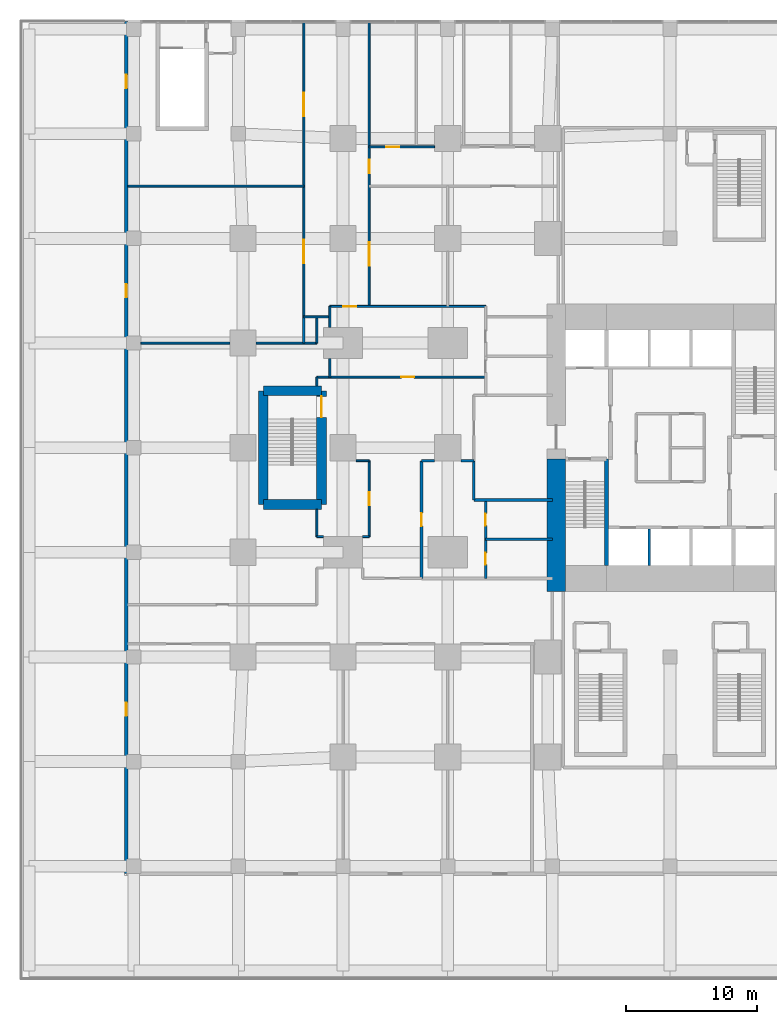
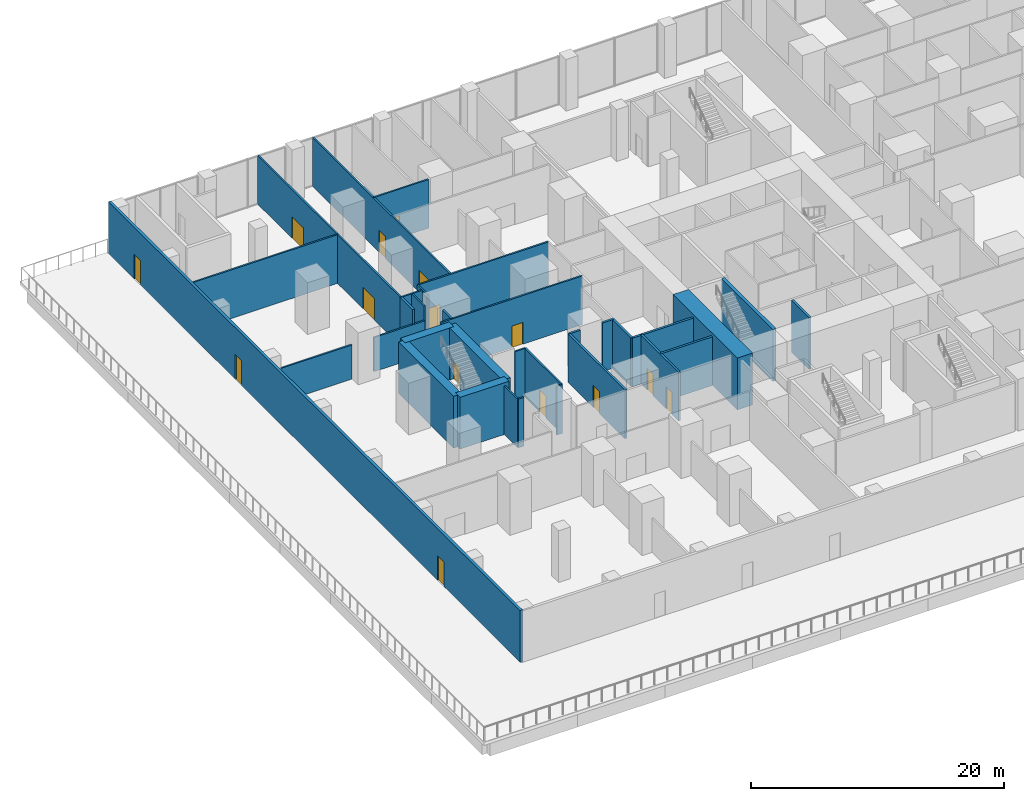
# One storey, part 8 of 19: 34 walls, 15 doors, 15 openings.
"""IFC4 building model written with IfcOpenShell, lengths in metres."""

import ifcopenshell
import ifcopenshell.guid

model = None  # the IFC model being written
_history = None  # IfcOwnerHistory: only IFC2X3 demands one
_inside = {}  # id of a spatial element -> (the spatial element, [elements in it])
_under = {}  # id of a project, library or spatial element -> (it, [spatial elements below it])
_declared = {}  # id of a project -> (the project, [libraries it declares])
_typed = {}  # id of a type object -> (the type object, [elements of that type])
_made_of = {}  # id of a material, layer set ... -> (it, [elements and type objects made of it])


def new_model(schema):
    """Start an empty IFC model of exactly this schema.

    Asked for "IFC4X3", IfcOpenShell would pick the latest addendum, in which some entities
    have other attributes; the version numbers below select the first issue.
    IFC2X3 requires an IfcOwnerHistory on every rooted entity: one is made here for all.
    """
    global model, _history
    if schema == "IFC4X3":
        model = ifcopenshell.file(schema_version=(4, 3, 0, 0))
    else:
        model = ifcopenshell.file(schema=schema)
    _inside.clear()
    _under.clear()
    _declared.clear()
    _typed.clear()
    _made_of.clear()
    _history = None
    if model.schema == "IFC2X3":
        org = make("IfcOrganization", Name="unknown")
        user = make(
            "IfcPersonAndOrganization",
            ThePerson=make("IfcPerson", FamilyName="unknown"),
            TheOrganization=org,
        )
        app = make(
            "IfcApplication",
            ApplicationDeveloper=org,
            Version="unknown",
            ApplicationFullName="unknown",
            ApplicationIdentifier="unknown",
        )
        _history = make(
            "IfcOwnerHistory",
            OwningUser=user,
            OwningApplication=app,
            ChangeAction="ADDED",
            CreationDate=0,
        )
    return model


def make(cls, **values):
    """One entity of the class cls with the attributes given. An attribute that is None is left unset."""
    return model.create_entity(
        cls, **{name: value for name, value in values.items() if value is not None}
    )


def rooted(cls, **values):
    """An entity with a GlobalId (a new one), such as an element, a storey or a relation."""
    return make(cls, GlobalId=ifcopenshell.guid.new(), OwnerHistory=_history, **values)


def si_unit(unit_type, name, prefix=None):
    """IfcSIUnit, for example si_unit("LENGTHUNIT", "METRE", prefix="MILLI")."""
    return make("IfcSIUnit", UnitType=unit_type, Prefix=prefix, Name=name)


def assignment(units):
    """IfcUnitAssignment: the units of a project."""
    return None if units is None else make("IfcUnitAssignment", Units=units)


def point(xyz):
    """IfcCartesianPoint."""
    return None if xyz is None else make("IfcCartesianPoint", Coordinates=xyz)


def direction(xyz):
    """IfcDirection."""
    return None if xyz is None else make("IfcDirection", DirectionRatios=xyz)


def frame(location, z_axis=None, x_axis=None):
    """IfcAxis2Placement3D, a coordinate frame: its origin and axes. An axis left out is left unset."""
    return make(
        "IfcAxis2Placement3D",
        Location=point(location),
        Axis=direction(z_axis),
        RefDirection=direction(x_axis),
    )


def frame_2d(location, x_axis=None):
    """IfcAxis2Placement2D, a coordinate frame in the plane: its origin and x axis."""
    return make(
        "IfcAxis2Placement2D", Location=point(location), RefDirection=direction(x_axis)
    )


def origin():
    """The frame at (0, 0, 0) with its axes left unset."""
    return frame((0.0, 0.0, 0.0))


def place(relative_to, where):
    """IfcLocalPlacement: puts the frame where relative to a parent placement (None: the world)."""
    return make(
        "IfcLocalPlacement", PlacementRelTo=relative_to, RelativePlacement=where
    )


def context(
    kind, dimensions, precision=None, world=None, true_north=None, identifier=None
):
    """IfcGeometricRepresentationContext, for example the 3D "Model" context."""
    return make(
        "IfcGeometricRepresentationContext",
        ContextIdentifier=identifier,
        ContextType=kind,
        CoordinateSpaceDimension=dimensions,
        Precision=precision,
        WorldCoordinateSystem=world,
        TrueNorth=true_north,
    )


def subcontext(parent, identifier, kind, view, scale=None):
    """IfcGeometricRepresentationSubContext, for example "Body" below "Model"."""
    return make(
        "IfcGeometricRepresentationSubContext",
        ContextIdentifier=identifier,
        ContextType=kind,
        ParentContext=parent,
        TargetScale=scale,
        TargetView=view,
    )


def project(units=None, contexts=None):
    """IfcProject with its units and contexts."""
    return rooted(
        "IfcProject",
        Name="project",
        RepresentationContexts=contexts,
        UnitsInContext=assignment(units),
    )


def spatial(cls, under=None, at=None, **own):
    """A site, building, storey or space (cls), placed at a placement, below another one or the project."""
    s = rooted(cls, ObjectPlacement=at, **own)
    if under is not None:
        _under.setdefault(under.id(), (under, []))[1].append(s)
    return s


def profile(cls, at=None, kind="AREA", **sizes):
    """A parametric profile (cls). Its sizes go by their IFC names, for example OverallWidth=200.0."""
    return make(cls, ProfileType=kind, Position=at, **sizes)


def rectangle(**sizes):
    """IfcRectangleProfileDef."""
    return profile("IfcRectangleProfileDef", **sizes)


def extrude(swept, where, along, depth):
    """IfcExtrudedAreaSolid: the profile swept, set in the frame where, extruded along a direction by depth."""
    return make(
        "IfcExtrudedAreaSolid",
        SweptArea=swept,
        Position=where,
        ExtrudedDirection=direction(along),
        Depth=depth,
    )


def shape(context_of_items, identifier, shape_type, items):
    """IfcShapeRepresentation: the items that make up one representation, for example the "Body"."""
    return make(
        "IfcShapeRepresentation",
        ContextOfItems=context_of_items,
        RepresentationIdentifier=identifier,
        RepresentationType=shape_type,
        Items=items,
    )


def material(Name=None, Category=None):
    """IfcMaterial."""
    return make("IfcMaterial", Name=Name, Category=Category)


def layer(
    of_material, thickness, ventilated=None, Name=None, Category=None, Priority=None
):
    """IfcMaterialLayer: one layer of a wall or slab, of a material (None: an air gap)."""
    return make(
        "IfcMaterialLayer",
        Material=of_material,
        LayerThickness=thickness,
        IsVentilated=ventilated,
        Name=Name,
        Category=Category,
        Priority=Priority,
    )


def layer_set(layers, Name=None):
    """IfcMaterialLayerSet."""
    return make("IfcMaterialLayerSet", MaterialLayers=layers, LayerSetName=Name)


def made_of(thing, what):
    """Note that an element or type object is made of a material, layer set ...; save() writes the relation."""
    if what is not None:
        _made_of.setdefault(what.id(), (what, []))[1].append(thing)
    return thing


def type_object(cls, material=None, **own):
    """A type object (cls), such as IfcWallType, which elements share."""
    return made_of(rooted(cls, **own), material)


def element(
    cls,
    number,
    at=None,
    inside=None,
    cuts=None,
    type_object=None,
    material=None,
    context=None,
    identifier="Body",
    shape_type=None,
    held_by="IfcProductDefinitionShape",
    body=None,
    shapes=None,
    **own,
):
    """One element of the class cls, such as IfcWall. Its Tag is "e" and its number.

    at: its placement. inside: the storey or other place that contains it. cuts: it is an
    opening in that element (IfcRelVoidsElement). A single representation is given by context,
    identifier, shape_type and body (its items); several are given by shapes. held_by: the class
    of the entity that holds the representations. save() writes the other relations.
    """
    e = rooted(cls, Tag="e%d" % number, ObjectPlacement=at, **own)
    if body is not None:
        shapes = [shape(context, identifier, shape_type, body)]
    if shapes is not None:
        e.Representation = make(held_by, Representations=shapes)
    if inside is not None:
        _inside.setdefault(inside.id(), (inside, []))[1].append(e)
    if cuts is not None:
        rooted(
            "IfcRelVoidsElement", RelatingBuildingElement=cuts, RelatedOpeningElement=e
        )
    if type_object is not None:
        _typed.setdefault(type_object.id(), (type_object, []))[1].append(e)
    return made_of(e, material)


def fill(opening, filler):
    """IfcRelFillsElement: the door or window that sits in an opening."""
    return rooted(
        "IfcRelFillsElement",
        RelatingOpeningElement=opening,
        RelatedBuildingElement=filler,
    )


def aggregate(whole, parts):
    """IfcRelAggregates: a whole, such as a stair, and the parts it consists of."""
    return rooted("IfcRelAggregates", RelatingObject=whole, RelatedObjects=parts)


def save(model, path):
    """Write the relations noted so far, then the file.

    IfcRelAggregates (storeys below a building ...), IfcRelContainedInSpatialStructure (elements
    in a storey), IfcRelDefinesByType, IfcRelAssociatesMaterial and IfcRelDeclares: one each for
    every whole, place, type object, material and project.
    """
    for whole, parts in _under.values():
        aggregate(whole, parts)
    for where, things in _inside.values():
        rooted(
            "IfcRelContainedInSpatialStructure",
            RelatedElements=things,
            RelatingStructure=where,
        )
    for kind, things in _typed.values():
        rooted("IfcRelDefinesByType", RelatedObjects=things, RelatingType=kind)
    for what, things in _made_of.values():
        rooted("IfcRelAssociatesMaterial", RelatedObjects=things, RelatingMaterial=what)
    for by, libraries in _declared.values():
        rooted("IfcRelDeclares", RelatingContext=by, RelatedDefinitions=libraries)
    model.write(path)


model = new_model("IFC4")

# Units and contexts
model_context = context("Model", 3, precision=1e-05, world=origin(), true_north=direction((0.0, 1.0)))
body_context = subcontext(model_context, "Body", "Model", "MODEL_VIEW")
ifc_project = project(units=[si_unit("LENGTHUNIT", "METRE"), si_unit("AREAUNIT", "SQUARE_METRE"), si_unit("VOLUMEUNIT", "CUBIC_METRE"), si_unit("PLANEANGLEUNIT", "RADIAN"), si_unit("MASSUNIT", "GRAM", prefix="KILO")], contexts=[model_context])

# Site, building, storey
site_placement = place(None, origin())
site = spatial("IfcSite", under=ifc_project, at=site_placement, CompositionType="ELEMENT")
building_placement = place(site_placement, origin())
building = spatial("IfcBuilding", under=site, at=building_placement, Name="Cleftline Residences", CompositionType="ELEMENT")
storey_placement = place(building_placement, frame((0.0, 0.0, 11.0)))
storey = spatial("IfcBuildingStorey", under=building, at=storey_placement, Name="L02", CompositionType="ELEMENT", Elevation=11.0)

# Walls
ifc_material_1 = material(Name="Concrete B70", Category="concrete")
ifc_layer_1 = layer(ifc_material_1, 1.39990234375)
ifc_layer_set_1 = layer_set([ifc_layer_1], Name="CORE WALL 1400")
wall_type_1 = type_object("IfcWallType", Name="CORE WALL 1400", PredefinedType="SHEAR", material=ifc_layer_set_1)
wall_1_placement = place(storey_placement, frame((24.300048828125, 13.0, 0.0), z_axis=(0.0, 0.0, 1.0), x_axis=(0.0, 1.0, 0.0)))
element("IfcWall", 1, at=wall_1_placement, inside=storey, type_object=wall_type_1, Name="Core wall W0", PredefinedType="SHEAR", context=body_context, shape_type="SweptSolid", body=[
    extrude(rectangle(XDim=10.14990234375, YDim=1.39990234375, at=frame_2d((5.074951171875, 0.0))), origin(), (0.0, 0.0, 1.0), 5.0),
])
ifc_material_2 = material(Name="Concrete B70", Category="concrete")
ifc_layer_2 = layer(ifc_material_2, 0.300048828125)
ifc_layer_set_2 = layer_set([ifc_layer_2], Name="CORE WALL 300")
wall_type_2 = type_object("IfcWallType", Name="CORE WALL 300", PredefinedType="SHEAR", material=ifc_layer_set_2)
wall_2_placement = place(storey_placement, frame((28.14990234375, 15.0, 0.0), z_axis=(0.0, 0.0, 1.0), x_axis=(0.0, 1.0, 0.0)))
element("IfcWall", 2, at=wall_2_placement, inside=storey, type_object=wall_type_2, Name="Core wall SA-E", PredefinedType="SHEAR", context=body_context, shape_type="SweptSolid", body=[
    extrude(rectangle(XDim=8.14990234375, YDim=0.300048828125, at=frame_2d((4.074951171875, 0.0))), origin(), (0.0, 0.0, 1.0), 5.0),
])

# Wall, openings, doors
ifc_material_3 = material(Name="Rendered reinforced concrete blockwork", Category="masonry")
ifc_layer_3 = layer(ifc_material_3, 0.25)
ifc_layer_set_3 = layer_set([ifc_layer_3], Name="EXTERNAL WALL 250")
wall_type_3 = type_object("IfcWallType", Name="EXTERNAL WALL 250", PredefinedType="SOLIDWALL", material=ifc_layer_set_3)
wall_3_placement = place(storey_placement, frame((-8.574951171875, 56.574951171875, 0.0), z_axis=(0.0, 0.0, 1.0), x_axis=(0.0, -1.0, 0.0)))
wall_3 = element("IfcWall", 3, at=wall_3_placement, inside=storey, type_object=wall_type_3, Name="External wall", PredefinedType="SOLIDWALL", context=body_context, shape_type="SweptSolid", body=[
    extrude(rectangle(XDim=65.14990234375, YDim=0.25, at=frame_2d((32.574951171875, 0.0))), origin(), (0.0, 0.0, 1.0), 5.0),
])
opening_1_placement = place(wall_3_placement, frame((4.074951171875, 0.0, 0.0)))
opening_1 = element("IfcOpeningElement", 4, at=opening_1_placement, cuts=wall_3, Name="Opening DT1", PredefinedType="OPENING", context=body_context, shape_type="SweptSolid", body=[
    extrude(rectangle(XDim=1.0, YDim=2.39990234375, at=frame_2d((0.5, 1.199951171875))), frame((0.0, 0.135009765625, 0.0), z_axis=(0.0, -1.0, 0.0), x_axis=(1.0, 0.0, 0.0)), (0.0, 0.0, 1.0), 0.27001953125),
])
opening_2_placement = place(wall_3_placement, frame((20.074951171875, 0.0, 0.0)))
opening_2 = element("IfcOpeningElement", 5, at=opening_2_placement, cuts=wall_3, Name="Opening DT1", PredefinedType="OPENING", context=body_context, shape_type="SweptSolid", body=[
    extrude(rectangle(XDim=1.0, YDim=2.39990234375, at=frame_2d((0.5, 1.199951171875))), frame((0.0, 0.135009765625, 0.0), z_axis=(0.0, -1.0, 0.0), x_axis=(1.0, 0.0, 0.0)), (0.0, 0.0, 1.0), 0.27001953125),
])
opening_3_placement = place(wall_3_placement, frame((52.074951171875, 0.0, 0.0)))
opening_3 = element("IfcOpeningElement", 6, at=opening_3_placement, cuts=wall_3, Name="Opening DT1", PredefinedType="OPENING", context=body_context, shape_type="SweptSolid", body=[
    extrude(rectangle(XDim=1.0, YDim=2.39990234375, at=frame_2d((0.5, 1.199951171875))), frame((0.0, 0.135009765625, 0.0), z_axis=(0.0, -1.0, 0.0), x_axis=(1.0, 0.0, 0.0)), (0.0, 0.0, 1.0), 0.27001953125),
])
ifc_material_4 = material(Name="Aluminium and laminated glass", Category="aluminium")
door_type_1 = type_object("IfcDoorType", Name="TERRACE DOOR 1000X2400", OperationType="SINGLE_SWING_LEFT", PredefinedType="DOOR", material=ifc_material_4)
door_1_placement = place(opening_1_placement, origin())
door_1 = element("IfcDoor", 7, at=door_1_placement, inside=storey, type_object=door_type_1, Name="Terrace door", OperationType="SINGLE_SWING_RIGHT", OverallHeight=2.39990234375, OverallWidth=1.0, PredefinedType="DOOR", context=body_context, shape_type="SweptSolid", body=[
    extrude(rectangle(XDim=1.0, YDim=2.39990234375, at=frame_2d((0.5, 1.199951171875))), frame((0.0, 0.02490234375, 0.0), z_axis=(0.0, -1.0, 0.0), x_axis=(1.0, 0.0, 0.0)), (0.0, 0.0, 1.0), 0.050048828125),
])
fill(opening_1, door_1)
door_2_placement = place(opening_2_placement, origin())
door_2 = element("IfcDoor", 8, at=door_2_placement, inside=storey, type_object=door_type_1, Name="Terrace door", OperationType="SINGLE_SWING_RIGHT", OverallHeight=2.39990234375, OverallWidth=1.0, PredefinedType="DOOR", context=body_context, shape_type="SweptSolid", body=[
    extrude(rectangle(XDim=1.0, YDim=2.39990234375, at=frame_2d((0.5, 1.199951171875))), frame((0.0, 0.02490234375, 0.0), z_axis=(0.0, -1.0, 0.0), x_axis=(1.0, 0.0, 0.0)), (0.0, 0.0, 1.0), 0.050048828125),
])
fill(opening_2, door_2)
door_3_placement = place(opening_3_placement, origin())
door_3 = element("IfcDoor", 9, at=door_3_placement, inside=storey, type_object=door_type_1, Name="Terrace door", OperationType="SINGLE_SWING_LEFT", OverallHeight=2.39990234375, OverallWidth=1.0, PredefinedType="DOOR", context=body_context, shape_type="SweptSolid", body=[
    extrude(rectangle(XDim=1.0, YDim=2.39990234375, at=frame_2d((0.5, 1.199951171875))), frame((0.0, 0.02490234375, 0.0), z_axis=(0.0, -1.0, 0.0), x_axis=(1.0, 0.0, 0.0)), (0.0, 0.0, 1.0), 0.050048828125),
])
fill(opening_3, door_3)

# Walls
ifc_material_5 = material(Name="Concrete blockwork, fire rated", Category="masonry")
ifc_layer_4 = layer(ifc_material_5, 0.199951171875)
ifc_layer_set_4 = layer_set([ifc_layer_4], Name="FIRE WALL 200")
wall_type_4 = type_object("IfcWallType", Name="FIRE WALL 200", PredefinedType="PARTITIONING", material=ifc_layer_set_4)
wall_4_placement = place(storey_placement, frame((18.89990234375, 17.0, 0.0), z_axis=(0.0, 0.0, 1.0), x_axis=(1.0, 0.0, 0.0)))
element("IfcWall", 10, at=wall_4_placement, inside=storey, type_object=wall_type_4, Name="Fire separating wall", PredefinedType="PARTITIONING", context=body_context, shape_type="SweptSolid", body=[
    extrude(rectangle(XDim=5.10009765625, YDim=0.199951171875, at=frame_2d((2.550048828125, 0.0))), origin(), (0.0, 0.0, 1.0), 4.699951171875),
])
wall_5_placement = place(storey_placement, frame((18.0, 20.0, 0.0), z_axis=(0.0, 0.0, 1.0), x_axis=(1.0, 0.0, 0.0)))
element("IfcWall", 11, at=wall_5_placement, inside=storey, type_object=wall_type_4, Name="Fire separating wall", PredefinedType="PARTITIONING", context=body_context, shape_type="SweptSolid", body=[
    extrude(rectangle(XDim=6.0, YDim=0.199951171875, at=frame_2d((3.0, 0.0))), origin(), (0.0, 0.0, 1.0), 4.699951171875),
])
for number, where, z_axis, x_axis, name in (
    (12, (14.0, 23.0, 0.0), (0.0, 0.0, 1.0), (1.0, 0.0, 0.0), "Fire separating wall"),
    (13, (17.0, 23.0, 0.0), (0.0, 0.0, 1.0), (1.0, 0.0, 0.0), "Fire separating wall"),
):
    element("IfcWall", number, at=place(storey_placement, frame(where, z_axis=z_axis, x_axis=x_axis)), inside=storey, type_object=wall_type_4, Name=name, PredefinedType="PARTITIONING", context=body_context, shape_type="SweptSolid", body=[
        extrude(rectangle(XDim=1.0, YDim=0.199951171875, at=frame_2d((0.5, 0.0))), origin(), (0.0, 0.0, 1.0), 4.699951171875),
    ])
wall_6_placement = place(storey_placement, frame((5.0, 32.0, 0.0), z_axis=(0.0, 0.0, 1.0), x_axis=(0.0, 1.0, 0.0)))
element("IfcWall", 14, at=wall_6_placement, inside=storey, type_object=wall_type_4, Name="Fire separating wall", PredefinedType="PARTITIONING", context=body_context, shape_type="SweptSolid", body=[
    extrude(rectangle(XDim=2.0, YDim=0.199951171875, at=frame_2d((1.0, 0.0))), origin(), (0.0, 0.0, 1.0), 4.699951171875),
])

# Wall, opening, door
wall_7_placement = place(storey_placement, frame((14.0, 14.0, 0.0), z_axis=(0.0, 0.0, 1.0), x_axis=(0.0, 1.0, 0.0)))
wall_7 = element("IfcWall", 15, at=wall_7_placement, inside=storey, type_object=wall_type_4, Name="Fire separating wall", PredefinedType="PARTITIONING", context=body_context, shape_type="SweptSolid", body=[
    extrude(rectangle(XDim=9.0, YDim=0.199951171875, at=frame_2d((4.5, 0.0))), origin(), (0.0, 0.0, 1.0), 4.699951171875),
])
opening_4_placement = place(wall_7_placement, frame((4.0, 0.0, 0.0)))
opening_4 = element("IfcOpeningElement", 16, at=opening_4_placement, cuts=wall_7, Name="Opening D2F30", PredefinedType="OPENING", context=body_context, shape_type="SweptSolid", body=[
    extrude(rectangle(XDim=1.0, YDim=2.10009765625, at=frame_2d((0.5, 1.050048828125))), frame((0.0, 0.10986328125, 0.0), z_axis=(0.0, -1.0, 0.0), x_axis=(1.0, 0.0, 0.0)), (0.0, 0.0, 1.0), 0.219970703125),
])
ifc_material_6 = material(Name="Timber veneer on solid core", Category="wood")
door_type_2 = type_object("IfcDoorType", Name="DOOR 1000X2100 EI 30", OperationType="SINGLE_SWING_LEFT", PredefinedType="DOOR", material=ifc_material_6)
door_4_placement = place(opening_4_placement, origin())
door_4 = element("IfcDoor", 17, at=door_4_placement, inside=storey, type_object=door_type_2, Name="Door to wc lobby", OperationType="SINGLE_SWING_LEFT", OverallHeight=2.10009765625, OverallWidth=1.0, PredefinedType="DOOR", context=body_context, shape_type="SweptSolid", body=[
    extrude(rectangle(XDim=1.0, YDim=2.10009765625, at=frame_2d((0.5, 1.050048828125))), frame((0.0, 0.02490234375, 0.0), z_axis=(0.0, -1.0, 0.0), x_axis=(1.0, 0.0, 0.0)), (0.0, 0.0, 1.0), 0.050048828125),
])
fill(opening_4, door_4)

# Wall
wall_8_placement = place(storey_placement, frame((18.0, 20.0, 0.0), z_axis=(0.0, 0.0, 1.0), x_axis=(0.0, 1.0, 0.0)))
element("IfcWall", 18, at=wall_8_placement, inside=storey, type_object=wall_type_4, Name="Fire separating wall", PredefinedType="PARTITIONING", context=body_context, shape_type="SweptSolid", body=[
    extrude(rectangle(XDim=3.0, YDim=0.199951171875, at=frame_2d((1.5, 0.0))), origin(), (0.0, 0.0, 1.0), 4.699951171875),
])

# Wall, openings, doors
wall_9_placement = place(storey_placement, frame((18.89990234375, 14.0, 0.0), z_axis=(0.0, 0.0, 1.0), x_axis=(0.0, 1.0, 0.0)))
wall_9 = element("IfcWall", 19, at=wall_9_placement, inside=storey, type_object=wall_type_4, Name="Fire separating wall", PredefinedType="PARTITIONING", context=body_context, shape_type="SweptSolid", body=[
    extrude(rectangle(XDim=6.0, YDim=0.199951171875, at=frame_2d((3.0, 0.0))), origin(), (0.0, 0.0, 1.0), 4.699951171875),
])
opening_5_placement = place(wall_9_placement, frame((1.050048828125, 0.0, 0.0)))
opening_5 = element("IfcOpeningElement", 20, at=opening_5_placement, cuts=wall_9, Name="Opening D1F30", PredefinedType="OPENING", context=body_context, shape_type="SweptSolid", body=[
    extrude(rectangle(XDim=0.89990234375, YDim=2.10009765625, at=frame_2d((0.449951171875, 1.050048828125))), frame((0.0, 0.10986328125, 0.0), z_axis=(0.0, -1.0, 0.0), x_axis=(1.0, 0.0, 0.0)), (0.0, 0.0, 1.0), 0.219970703125),
])
opening_6_placement = place(wall_9_placement, frame((4.050048828125, 0.0, 0.0)))
opening_6 = element("IfcOpeningElement", 21, at=opening_6_placement, cuts=wall_9, Name="Opening D1F30", PredefinedType="OPENING", context=body_context, shape_type="SweptSolid", body=[
    extrude(rectangle(XDim=0.89990234375, YDim=2.10009765625, at=frame_2d((0.449951171875, 1.050048828125))), frame((0.0, 0.10986328125, 0.0), z_axis=(0.0, -1.0, 0.0), x_axis=(1.0, 0.0, 0.0)), (0.0, 0.0, 1.0), 0.219970703125),
])
ifc_material_7 = material(Name="Timber veneer on solid core", Category="wood")
door_type_3 = type_object("IfcDoorType", Name="DOOR 900X2100 EI 30", OperationType="SINGLE_SWING_LEFT", PredefinedType="DOOR", material=ifc_material_7)
door_5_placement = place(opening_5_placement, origin())
door_5 = element("IfcDoor", 22, at=door_5_placement, inside=storey, type_object=door_type_3, Name="Door to male wc", OperationType="SINGLE_SWING_RIGHT", OverallHeight=2.10009765625, OverallWidth=0.89990234375, PredefinedType="DOOR", context=body_context, shape_type="SweptSolid", body=[
    extrude(rectangle(XDim=0.89990234375, YDim=2.10009765625, at=frame_2d((0.449951171875, 1.050048828125))), frame((0.0, 0.02490234375, 0.0), z_axis=(0.0, -1.0, 0.0), x_axis=(1.0, 0.0, 0.0)), (0.0, 0.0, 1.0), 0.050048828125),
])
fill(opening_5, door_5)
door_6_placement = place(opening_6_placement, origin())
door_6 = element("IfcDoor", 23, at=door_6_placement, inside=storey, type_object=door_type_3, Name="Door to female wc", OperationType="SINGLE_SWING_LEFT", OverallHeight=2.10009765625, OverallWidth=0.89990234375, PredefinedType="DOOR", context=body_context, shape_type="SweptSolid", body=[
    extrude(rectangle(XDim=0.89990234375, YDim=2.10009765625, at=frame_2d((0.449951171875, 1.050048828125))), frame((0.0, 0.02490234375, 0.0), z_axis=(0.0, -1.0, 0.0), x_axis=(1.0, 0.0, 0.0)), (0.0, 0.0, 1.0), 0.050048828125),
])
fill(opening_6, door_6)

# Walls
ifc_material_8 = material(Name="Gypsum board on steel studs", Category="steel")
ifc_layer_5 = layer(ifc_material_8, 0.14990234375)
ifc_layer_set_5 = layer_set([ifc_layer_5], Name="PARTITION 150")
wall_type_5 = type_object("IfcWallType", Name="PARTITION 150", PredefinedType="PARTITIONING", material=ifc_layer_set_5)
for number, where, z_axis, x_axis, name in (
    (24, (6.0, 17.199951171875, 0.0), (0.0, 0.0, 1.0), (1.0, 0.0, 0.0), "Partition"),
    (25, (9.5, 17.199951171875, 0.0), (0.0, 0.0, 1.0), (1.0, 0.0, 0.0), "Partition"),
):
    element("IfcWall", number, at=place(storey_placement, frame(where, z_axis=z_axis, x_axis=x_axis)), inside=storey, type_object=wall_type_5, Name=name, PredefinedType="PARTITIONING", context=body_context, shape_type="SweptSolid", body=[
        extrude(rectangle(XDim=0.5, YDim=0.14990234375, at=frame_2d((0.25, 0.0))), origin(), (0.0, 0.0, 1.0), 4.699951171875),
    ])
wall_10_placement = place(storey_placement, frame((9.0, 23.0, 0.0), z_axis=(0.0, 0.0, 1.0), x_axis=(1.0, 0.0, 0.0)))
element("IfcWall", 26, at=wall_10_placement, inside=storey, type_object=wall_type_5, Name="Partition", PredefinedType="PARTITIONING", context=body_context, shape_type="SweptSolid", body=[
    extrude(rectangle(XDim=1.0, YDim=0.14990234375, at=frame_2d((0.5, 0.0))), origin(), (0.0, 0.0, 1.0), 4.699951171875),
])

# Wall, opening, door
wall_11_placement = place(storey_placement, frame((6.0, 29.39990234375, 0.0), z_axis=(0.0, 0.0, 1.0), x_axis=(1.0, 0.0, 0.0)))
wall_11 = element("IfcWall", 27, at=wall_11_placement, inside=storey, type_object=wall_type_5, Name="Partition", PredefinedType="PARTITIONING", context=body_context, shape_type="SweptSolid", body=[
    extrude(rectangle(XDim=12.89990234375, YDim=0.14990234375, at=frame_2d((6.449951171875, 0.0))), origin(), (0.0, 0.0, 1.0), 4.699951171875),
])
opening_7_placement = place(wall_11_placement, frame((6.449951171875, 0.0, 0.0)))
opening_7 = element("IfcOpeningElement", 28, at=opening_7_placement, cuts=wall_11, Name="Opening D2F30", PredefinedType="OPENING", context=body_context, shape_type="SweptSolid", body=[
    extrude(rectangle(XDim=1.0, YDim=2.10009765625, at=frame_2d((0.5, 1.050048828125))), frame((0.0, 0.0849609375, 0.0), z_axis=(0.0, -1.0, 0.0), x_axis=(1.0, 0.0, 0.0)), (0.0, 0.0, 1.0), 0.169921875),
])
door_7_placement = place(opening_7_placement, origin())
door_7 = element("IfcDoor", 29, at=door_7_placement, inside=storey, type_object=door_type_2, Name="Door to podium corridor north", OperationType="SINGLE_SWING_LEFT", OverallHeight=2.10009765625, OverallWidth=1.0, PredefinedType="DOOR", context=body_context, shape_type="SweptSolid", body=[
    extrude(rectangle(XDim=1.0, YDim=2.10009765625, at=frame_2d((0.5, 1.050048828125))), frame((0.0, 0.02490234375, 0.0), z_axis=(0.0, -1.0, 0.0), x_axis=(1.0, 0.0, 0.0)), (0.0, 0.0, 1.0), 0.050048828125),
])
fill(opening_7, door_7)

# Walls
wall_12_placement = place(storey_placement, frame((-7.449951171875, 32.0, 0.0), z_axis=(0.0, 0.0, 1.0), x_axis=(1.0, 0.0, 0.0)))
element("IfcWall", 30, at=wall_12_placement, inside=storey, type_object=wall_type_5, Name="Partition", PredefinedType="PARTITIONING", context=body_context, shape_type="SweptSolid", body=[
    extrude(rectangle(XDim=6.800048828125, YDim=0.14990234375, at=frame_2d((3.39990234375, 0.0))), origin(), (0.0, 0.0, 1.0), 3.300048828125),
])
wall_13_placement = place(storey_placement, frame((1.35009765625, 32.0, 0.0), z_axis=(0.0, 0.0, 1.0), x_axis=(1.0, 0.0, 0.0)))
element("IfcWall", 31, at=wall_13_placement, inside=storey, type_object=wall_type_5, Name="Partition", PredefinedType="PARTITIONING", context=body_context, shape_type="SweptSolid", body=[
    extrude(rectangle(XDim=4.64990234375, YDim=0.14990234375, at=frame_2d((2.324951171875, 0.0))), origin(), (0.0, 0.0, 1.0), 3.300048828125),
])
wall_14_placement = place(storey_placement, frame((5.0, 34.0, 0.0), z_axis=(0.0, 0.0, 1.0), x_axis=(1.0, 0.0, 0.0)))
element("IfcWall", 32, at=wall_14_placement, inside=storey, type_object=wall_type_5, Name="Partition", PredefinedType="PARTITIONING", context=body_context, shape_type="SweptSolid", body=[
    extrude(rectangle(XDim=2.0, YDim=0.14990234375, at=frame_2d((1.0, 0.0))), origin(), (0.0, 0.0, 1.0), 4.699951171875),
])

# Wall, opening, door
wall_15_placement = place(storey_placement, frame((7.0, 34.800048828125, 0.0), z_axis=(0.0, 0.0, 1.0), x_axis=(1.0, 0.0, 0.0)))
wall_15 = element("IfcWall", 33, at=wall_15_placement, inside=storey, type_object=wall_type_5, Name="Partition", PredefinedType="PARTITIONING", context=body_context, shape_type="SweptSolid", body=[
    extrude(rectangle(XDim=11.89990234375, YDim=0.14990234375, at=frame_2d((5.949951171875, 0.0))), origin(), (0.0, 0.0, 1.0), 4.699951171875),
])
opening_8_placement = place(wall_15_placement, frame((1.0, 0.0, 0.0)))
opening_8 = element("IfcOpeningElement", 34, at=opening_8_placement, cuts=wall_15, Name="Opening D2F30", PredefinedType="OPENING", context=body_context, shape_type="SweptSolid", body=[
    extrude(rectangle(XDim=1.0, YDim=2.10009765625, at=frame_2d((0.5, 1.050048828125))), frame((0.0, 0.0849609375, 0.0), z_axis=(0.0, -1.0, 0.0), x_axis=(1.0, 0.0, 0.0)), (0.0, 0.0, 1.0), 0.169921875),
])
door_8_placement = place(opening_8_placement, origin())
door_8 = element("IfcDoor", 35, at=door_8_placement, inside=storey, type_object=door_type_2, Name="Door to spa lobby", OperationType="SINGLE_SWING_RIGHT", OverallHeight=2.10009765625, OverallWidth=1.0, PredefinedType="DOOR", context=body_context, shape_type="SweptSolid", body=[
    extrude(rectangle(XDim=1.0, YDim=2.10009765625, at=frame_2d((0.5, 1.050048828125))), frame((0.0, 0.02490234375, 0.0), z_axis=(0.0, -1.0, 0.0), x_axis=(1.0, 0.0, 0.0)), (0.0, 0.0, 1.0), 0.050048828125),
])
fill(opening_8, door_8)

# Wall
wall_16_placement = place(storey_placement, frame((-8.449951171875, 44.0, 0.0), z_axis=(0.0, 0.0, 1.0), x_axis=(1.0, 0.0, 0.0)))
element("IfcWall", 36, at=wall_16_placement, inside=storey, type_object=wall_type_5, Name="Partition", PredefinedType="PARTITIONING", context=body_context, shape_type="SweptSolid", body=[
    extrude(rectangle(XDim=13.449951171875, YDim=0.14990234375, at=frame_2d((6.72509765625, 0.0))), origin(), (0.0, 0.0, 1.0), 4.699951171875),
])

# Wall, opening, door
wall_17_placement = place(storey_placement, frame((10.0, 47.0, 0.0), z_axis=(0.0, 0.0, 1.0), x_axis=(1.0, 0.0, 0.0)))
wall_17 = element("IfcWall", 37, at=wall_17_placement, inside=storey, type_object=wall_type_5, Name="Partition", PredefinedType="PARTITIONING", context=body_context, shape_type="SweptSolid", body=[
    extrude(rectangle(XDim=5.0, YDim=0.14990234375, at=frame_2d((2.5, 0.0))), origin(), (0.0, 0.0, 1.0), 4.699951171875),
])
opening_9_placement = place(wall_17_placement, frame((1.306396484375, 0.0, 0.0)))
opening_9 = element("IfcOpeningElement", 38, at=opening_9_placement, cuts=wall_17, Name="Opening D2", PredefinedType="OPENING", context=body_context, shape_type="SweptSolid", body=[
    extrude(rectangle(XDim=1.0, YDim=2.10009765625, at=frame_2d((0.5, 1.050048828125))), frame((0.0, 0.0849609375, 0.0), z_axis=(0.0, -1.0, 0.0), x_axis=(1.0, 0.0, 0.0)), (0.0, 0.0, 1.0), 0.169921875),
])
ifc_material_9 = material(Name="Timber veneer on solid core", Category="wood")
door_type_4 = type_object("IfcDoorType", Name="DOOR 1000X2100", OperationType="SINGLE_SWING_LEFT", PredefinedType="DOOR", material=ifc_material_9)
door_9_placement = place(opening_9_placement, origin())
door_9 = element("IfcDoor", 39, at=door_9_placement, inside=storey, type_object=door_type_4, Name="Door to treatment room 1", OperationType="SINGLE_SWING_RIGHT", OverallHeight=2.10009765625, OverallWidth=1.0, PredefinedType="DOOR", context=body_context, shape_type="SweptSolid", body=[
    extrude(rectangle(XDim=1.0, YDim=2.10009765625, at=frame_2d((0.5, 1.050048828125))), frame((0.0, 0.02490234375, 0.0), z_axis=(0.0, -1.0, 0.0), x_axis=(1.0, 0.0, 0.0)), (0.0, 0.0, 1.0), 0.050048828125),
])
fill(opening_9, door_9)

# Wall, openings, doors
wall_18_placement = place(storey_placement, frame((5.0, 34.0, 0.0), z_axis=(0.0, 0.0, 1.0), x_axis=(0.0, 1.0, 0.0)))
wall_18 = element("IfcWall", 40, at=wall_18_placement, inside=storey, type_object=wall_type_5, Name="Partition", PredefinedType="PARTITIONING", context=body_context, shape_type="SweptSolid", body=[
    extrude(rectangle(XDim=22.56103515625, YDim=0.14990234375, at=frame_2d((11.280517578125, 0.0))), origin(), (0.0, 0.0, 1.0), 4.699951171875),
])
opening_10_placement = place(wall_18_placement, frame((4.10009765625, 0.0, 0.0)))
opening_10 = element("IfcOpeningElement", 41, at=opening_10_placement, cuts=wall_18, Name="Opening D3", PredefinedType="OPENING", context=body_context, shape_type="SweptSolid", body=[
    extrude(rectangle(XDim=1.800048828125, YDim=2.10009765625, at=frame_2d((0.89990234375, 1.050048828125))), frame((0.0, 0.0849609375, 0.0), z_axis=(0.0, -1.0, 0.0), x_axis=(1.0, 0.0, 0.0)), (0.0, 0.0, 1.0), 0.169921875),
])
opening_11_placement = place(wall_18_placement, frame((15.324951171875, 0.0, 0.0)))
opening_11 = element("IfcOpeningElement", 42, at=opening_11_placement, cuts=wall_18, Name="Opening D3", PredefinedType="OPENING", context=body_context, shape_type="SweptSolid", body=[
    extrude(rectangle(XDim=1.800048828125, YDim=2.10009765625, at=frame_2d((0.89990234375, 1.050048828125))), frame((0.0, 0.0849609375, 0.0), z_axis=(0.0, -1.0, 0.0), x_axis=(1.0, 0.0, 0.0)), (0.0, 0.0, 1.0), 0.169921875),
])
ifc_material_10 = material(Name="Timber veneer on solid core", Category="wood")
door_type_5 = type_object("IfcDoorType", Name="DOUBLE DOOR 1800X2100", OperationType="DOUBLE_DOOR_DOUBLE_SWING", PredefinedType="DOOR", material=ifc_material_10)
door_10_placement = place(opening_10_placement, origin())
door_10 = element("IfcDoor", 43, at=door_10_placement, inside=storey, type_object=door_type_5, Name="Door to hydrotherapy pool hall", OperationType="DOUBLE_DOOR_DOUBLE_SWING", OverallHeight=2.10009765625, OverallWidth=1.800048828125, PredefinedType="DOOR", context=body_context, shape_type="SweptSolid", body=[
    extrude(rectangle(XDim=1.800048828125, YDim=2.10009765625, at=frame_2d((0.89990234375, 1.050048828125))), frame((0.0, 0.02490234375, 0.0), z_axis=(0.0, -1.0, 0.0), x_axis=(1.0, 0.0, 0.0)), (0.0, 0.0, 1.0), 0.050048828125),
])
fill(opening_10, door_10)
door_11_placement = place(opening_11_placement, origin())
door_11 = element("IfcDoor", 44, at=door_11_placement, inside=storey, type_object=door_type_5, Name="Door to sauna and steam rooms", OperationType="DOUBLE_DOOR_DOUBLE_SWING", OverallHeight=2.10009765625, OverallWidth=1.800048828125, PredefinedType="DOOR", context=body_context, shape_type="SweptSolid", body=[
    extrude(rectangle(XDim=1.800048828125, YDim=2.10009765625, at=frame_2d((0.89990234375, 1.050048828125))), frame((0.0, 0.02490234375, 0.0), z_axis=(0.0, -1.0, 0.0), x_axis=(1.0, 0.0, 0.0)), (0.0, 0.0, 1.0), 0.050048828125),
])
fill(opening_11, door_11)

# Walls
wall_19_placement = place(storey_placement, frame((6.0, 17.199951171875, 0.0), z_axis=(0.0, 0.0, 1.0), x_axis=(0.0, 1.0, 0.0)))
element("IfcWall", 45, at=wall_19_placement, inside=storey, type_object=wall_type_5, Name="Partition", PredefinedType="PARTITIONING", context=body_context, shape_type="SweptSolid", body=[
    extrude(rectangle(XDim=2.074951171875, YDim=0.14990234375, at=frame_2d((1.03759765625, 0.0))), origin(), (0.0, 0.0, 1.0), 4.699951171875),
])
wall_20_placement = place(storey_placement, frame((6.0, 28.72509765625, 0.0), z_axis=(0.0, 0.0, 1.0), x_axis=(0.0, 1.0, 0.0)))
element("IfcWall", 46, at=wall_20_placement, inside=storey, type_object=wall_type_5, Name="Partition", PredefinedType="PARTITIONING", context=body_context, shape_type="SweptSolid", body=[
    extrude(rectangle(XDim=0.6748046875, YDim=0.14990234375, at=frame_2d((0.33740234375, 0.0))), origin(), (0.0, 0.0, 1.0), 4.699951171875),
])
wall_21_placement = place(storey_placement, frame((6.0, 32.0, 0.0), z_axis=(0.0, 0.0, 1.0), x_axis=(0.0, 1.0, 0.0)))
element("IfcWall", 47, at=wall_21_placement, inside=storey, type_object=wall_type_5, Name="Partition", PredefinedType="PARTITIONING", context=body_context, shape_type="SweptSolid", body=[
    extrude(rectangle(XDim=2.0, YDim=0.14990234375, at=frame_2d((1.0, 0.0))), origin(), (0.0, 0.0, 1.0), 4.699951171875),
])
wall_22_placement = place(storey_placement, frame((7.0, 29.39990234375, 0.0), z_axis=(0.0, 0.0, 1.0), x_axis=(0.0, 1.0, 0.0)))
element("IfcWall", 48, at=wall_22_placement, inside=storey, type_object=wall_type_5, Name="Partition", PredefinedType="PARTITIONING", context=body_context, shape_type="SweptSolid", body=[
    extrude(rectangle(XDim=1.400146484375, YDim=0.14990234375, at=frame_2d((0.7001953125, 0.0))), origin(), (0.0, 0.0, 1.0), 4.699951171875),
])
wall_23_placement = place(storey_placement, frame((7.0, 33.199951171875, 0.0), z_axis=(0.0, 0.0, 1.0), x_axis=(0.0, 1.0, 0.0)))
element("IfcWall", 49, at=wall_23_placement, inside=storey, type_object=wall_type_5, Name="Partition", PredefinedType="PARTITIONING", context=body_context, shape_type="SweptSolid", body=[
    extrude(rectangle(XDim=1.60009765625, YDim=0.14990234375, at=frame_2d((0.800048828125, 0.0))), origin(), (0.0, 0.0, 1.0), 4.699951171875),
])

# Wall, opening, door
wall_24_placement = place(storey_placement, frame((10.0, 17.199951171875, 0.0), z_axis=(0.0, 0.0, 1.0), x_axis=(0.0, 1.0, 0.0)))
wall_24 = element("IfcWall", 50, at=wall_24_placement, inside=storey, type_object=wall_type_5, Name="Partition", PredefinedType="PARTITIONING", context=body_context, shape_type="SweptSolid", body=[
    extrude(rectangle(XDim=5.800048828125, YDim=0.14990234375, at=frame_2d((2.89990234375, 0.0))), origin(), (0.0, 0.0, 1.0), 4.699951171875),
])
opening_12_placement = place(wall_24_placement, frame((2.39990234375, 0.0, 0.0)))
opening_12 = element("IfcOpeningElement", 51, at=opening_12_placement, cuts=wall_24, Name="Opening D2", PredefinedType="OPENING", context=body_context, shape_type="SweptSolid", body=[
    extrude(rectangle(XDim=1.0, YDim=2.10009765625, at=frame_2d((0.5, 1.050048828125))), frame((0.0, 0.0849609375, 0.0), z_axis=(0.0, -1.0, 0.0), x_axis=(1.0, 0.0, 0.0)), (0.0, 0.0, 1.0), 0.169921875),
])
door_12_placement = place(opening_12_placement, origin())
door_12 = element("IfcDoor", 52, at=door_12_placement, inside=storey, type_object=door_type_4, Name="Door to fitness office", OperationType="SINGLE_SWING_LEFT", OverallHeight=2.10009765625, OverallWidth=1.0, PredefinedType="DOOR", context=body_context, shape_type="SweptSolid", body=[
    extrude(rectangle(XDim=1.0, YDim=2.10009765625, at=frame_2d((0.5, 1.050048828125))), frame((0.0, 0.02490234375, 0.0), z_axis=(0.0, -1.0, 0.0), x_axis=(1.0, 0.0, 0.0)), (0.0, 0.0, 1.0), 0.050048828125),
])
fill(opening_12, door_12)

# Wall, openings, doors
wall_25_placement = place(storey_placement, frame((10.0, 34.800048828125, 0.0), z_axis=(0.0, 0.0, 1.0), x_axis=(0.0, 1.0, 0.0)))
wall_25 = element("IfcWall", 53, at=wall_25_placement, inside=storey, type_object=wall_type_5, Name="Partition", PredefinedType="PARTITIONING", context=body_context, shape_type="SweptSolid", body=[
    extrude(rectangle(XDim=21.760986328125, YDim=0.14990234375, at=frame_2d((10.88037109375, 0.0))), origin(), (0.0, 0.0, 1.0), 4.699951171875),
])
opening_13_placement = place(wall_25_placement, frame((10.199951171875, 0.0, 0.0)))
opening_13 = element("IfcOpeningElement", 54, at=opening_13_placement, cuts=wall_25, Name="Opening D2F30", PredefinedType="OPENING", context=body_context, shape_type="SweptSolid", body=[
    extrude(rectangle(XDim=1.0, YDim=2.10009765625, at=frame_2d((0.5, 1.050048828125))), frame((0.0, 0.0849609375, 0.0), z_axis=(0.0, -1.0, 0.0), x_axis=(1.0, 0.0, 0.0)), (0.0, 0.0, 1.0), 0.169921875),
])
opening_14_placement = place(wall_25_placement, frame((3.10009765625, 0.0, 0.0)))
opening_14 = element("IfcOpeningElement", 55, at=opening_14_placement, cuts=wall_25, Name="Opening D3F30", PredefinedType="OPENING", context=body_context, shape_type="SweptSolid", body=[
    extrude(rectangle(XDim=1.800048828125, YDim=2.10009765625, at=frame_2d((0.89990234375, 1.050048828125))), frame((0.0, 0.0849609375, 0.0), z_axis=(0.0, -1.0, 0.0), x_axis=(1.0, 0.0, 0.0)), (0.0, 0.0, 1.0), 0.169921875),
])
door_13_placement = place(opening_13_placement, origin())
door_13 = element("IfcDoor", 56, at=door_13_placement, inside=storey, type_object=door_type_2, Name="Door to spa corridor", OperationType="SINGLE_SWING_RIGHT", OverallHeight=2.10009765625, OverallWidth=1.0, PredefinedType="DOOR", context=body_context, shape_type="SweptSolid", body=[
    extrude(rectangle(XDim=1.0, YDim=2.10009765625, at=frame_2d((0.5, 1.050048828125))), frame((0.0, 0.02490234375, 0.0), z_axis=(0.0, -1.0, 0.0), x_axis=(1.0, 0.0, 0.0)), (0.0, 0.0, 1.0), 0.050048828125),
])
fill(opening_13, door_13)
ifc_material_11 = material(Name="Timber veneer on solid core", Category="wood")
door_type_6 = type_object("IfcDoorType", Name="DOUBLE DOOR 1800X2100 EI 30", OperationType="DOUBLE_DOOR_DOUBLE_SWING", PredefinedType="DOOR", material=ifc_material_11)
door_14_placement = place(opening_14_placement, origin())
door_14 = element("IfcDoor", 57, at=door_14_placement, inside=storey, type_object=door_type_6, Name="Door to quiet room", OperationType="DOUBLE_DOOR_DOUBLE_SWING", OverallHeight=2.10009765625, OverallWidth=1.800048828125, PredefinedType="DOOR", context=body_context, shape_type="SweptSolid", body=[
    extrude(rectangle(XDim=1.800048828125, YDim=2.10009765625, at=frame_2d((0.89990234375, 1.050048828125))), frame((0.0, 0.02490234375, 0.0), z_axis=(0.0, -1.0, 0.0), x_axis=(1.0, 0.0, 0.0)), (0.0, 0.0, 1.0), 0.050048828125),
])
fill(opening_14, door_14)

# Walls
ifc_material_12 = material(Name="Concrete blockwork, fire rated", Category="masonry")
ifc_layer_6 = layer(ifc_material_12, 0.199951171875)
ifc_layer_set_6 = layer_set([ifc_layer_6], Name="SHAFT WALL 200")
wall_type_6 = type_object("IfcWallType", Name="SHAFT WALL 200", PredefinedType="PARTITIONING", material=ifc_layer_set_6)
wall_26_placement = place(storey_placement, frame((31.39990234375, 15.0, 0.0), z_axis=(0.0, 0.0, 1.0), x_axis=(0.0, 1.0, 0.0)))
element("IfcWall", 58, at=wall_26_placement, inside=storey, type_object=wall_type_6, Name="Lift shaft wall", PredefinedType="PARTITIONING", context=body_context, shape_type="SweptSolid", body=[
    extrude(rectangle(XDim=2.800048828125, YDim=0.199951171875, at=frame_2d((1.39990234375, 0.0))), origin(), (0.0, 0.0, 1.0), 5.0),
])
ifc_material_13 = material(Name="Concrete B70", Category="concrete")
ifc_layer_7 = layer(ifc_material_13, 0.75)
ifc_layer_set_7 = layer_set([ifc_layer_7], Name="SHEAR WALL 750")
wall_type_7 = type_object("IfcWallType", Name="SHEAR WALL 750", PredefinedType="SHEAR", material=ifc_layer_set_7)
wall_27_placement = place(storey_placement, frame((1.89990234375, 19.64990234375, 0.0), z_axis=(0.0, 0.0, 1.0), x_axis=(1.0, 0.0, 0.0)))
element("IfcWall", 59, at=wall_27_placement, inside=storey, type_object=wall_type_7, Name="Wing shear wall", PredefinedType="SHEAR", context=body_context, shape_type="SweptSolid", body=[
    extrude(rectangle(XDim=4.4501953125, YDim=0.75, at=frame_2d((2.22509765625, 0.0))), origin(), (0.0, 0.0, 1.0), 5.0),
])

# Wall, opening, door
wall_28_placement = place(storey_placement, frame((6.35009765625, 19.64990234375, 0.0), z_axis=(0.0, 0.0, 1.0), x_axis=(0.0, 1.0, 0.0)))
wall_28 = element("IfcWall", 60, at=wall_28_placement, inside=storey, type_object=wall_type_7, Name="Wing shear wall", PredefinedType="SHEAR", context=body_context, shape_type="SweptSolid", body=[
    extrude(rectangle(XDim=8.7001953125, YDim=0.75, at=frame_2d((4.35009765625, 0.0))), origin(), (0.0, 0.0, 1.0), 5.0),
])
opening_15_placement = place(wall_28_placement, frame((6.675048828125, 0.0, 0.0)))
opening_15 = element("IfcOpeningElement", 61, at=opening_15_placement, cuts=wall_28, Name="Opening D9", PredefinedType="OPENING", context=body_context, shape_type="SweptSolid", body=[
    extrude(rectangle(XDim=1.60009765625, YDim=2.10009765625, at=frame_2d((0.800048828125, 1.050048828125))), frame((0.0, 0.385009765625, 0.0), z_axis=(0.0, -1.0, 0.0), x_axis=(1.0, 0.0, 0.0)), (0.0, 0.0, 1.0), 0.77001953125),
])
ifc_material_14 = material(Name="Steel", Category="steel")
door_type_7 = type_object("IfcDoorType", Name="STAIR DOOR 1600X2100", OperationType="DOUBLE_DOOR_SINGLE_SWING", PredefinedType="DOOR", material=ifc_material_14)
door_15_placement = place(opening_15_placement, origin())
door_15 = element("IfcDoor", 62, at=door_15_placement, inside=storey, type_object=door_type_7, Name="Stair W door", OperationType="DOUBLE_DOOR_SINGLE_SWING", OverallHeight=2.10009765625, OverallWidth=1.60009765625, PredefinedType="DOOR", context=body_context, shape_type="SweptSolid", body=[
    extrude(rectangle(XDim=1.60009765625, YDim=2.10009765625, at=frame_2d((0.800048828125, 1.050048828125))), frame((0.0, 0.02490234375, 0.0), z_axis=(0.0, -1.0, 0.0), x_axis=(1.0, 0.0, 0.0)), (0.0, 0.0, 1.0), 0.050048828125),
])
fill(opening_15, door_15)

# Walls
wall_29_placement = place(storey_placement, frame((6.35009765625, 28.35009765625, 0.0), z_axis=(0.0, 0.0, 1.0), x_axis=(-1.0, 0.0, 0.0)))
element("IfcWall", 63, at=wall_29_placement, inside=storey, type_object=wall_type_7, Name="Wing shear wall", PredefinedType="SHEAR", context=body_context, shape_type="SweptSolid", body=[
    extrude(rectangle(XDim=4.4501953125, YDim=0.75, at=frame_2d((2.22509765625, 0.0))), origin(), (0.0, 0.0, 1.0), 5.0),
])
wall_30_placement = place(storey_placement, frame((1.89990234375, 28.35009765625, 0.0), z_axis=(0.0, 0.0, 1.0), x_axis=(0.0, -1.0, 0.0)))
element("IfcWall", 64, at=wall_30_placement, inside=storey, type_object=wall_type_7, Name="Wing shear wall", PredefinedType="SHEAR", context=body_context, shape_type="SweptSolid", body=[
    extrude(rectangle(XDim=8.7001953125, YDim=0.75, at=frame_2d((4.35009765625, 0.0))), origin(), (0.0, 0.0, 1.0), 5.0),
])

save(model, "model.ifc")
